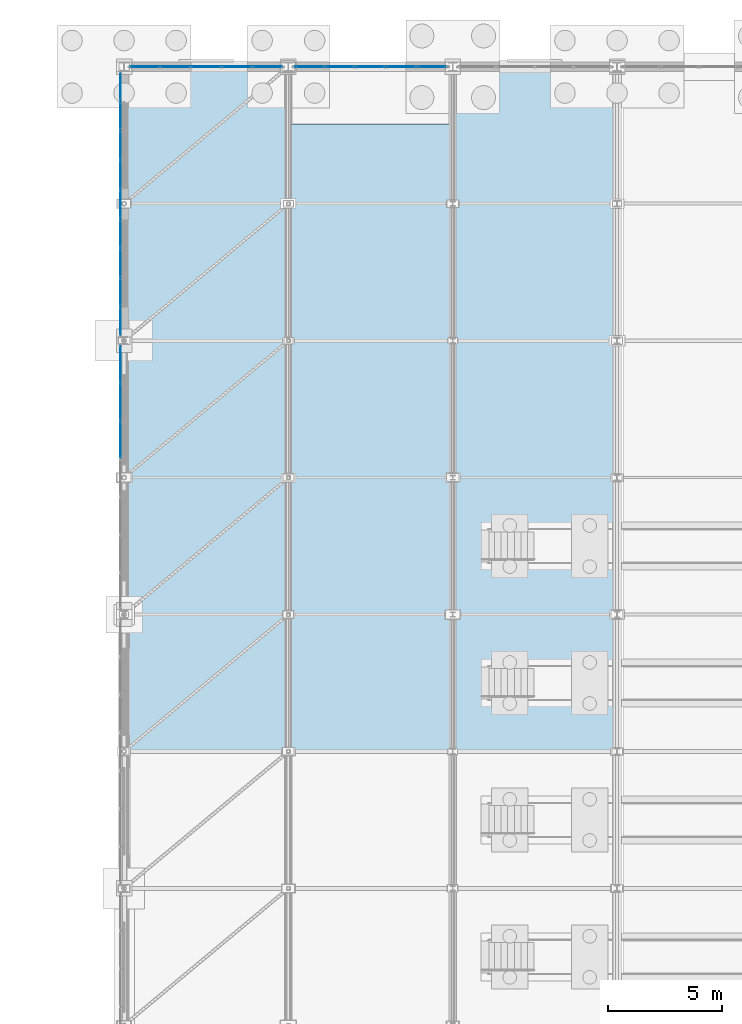
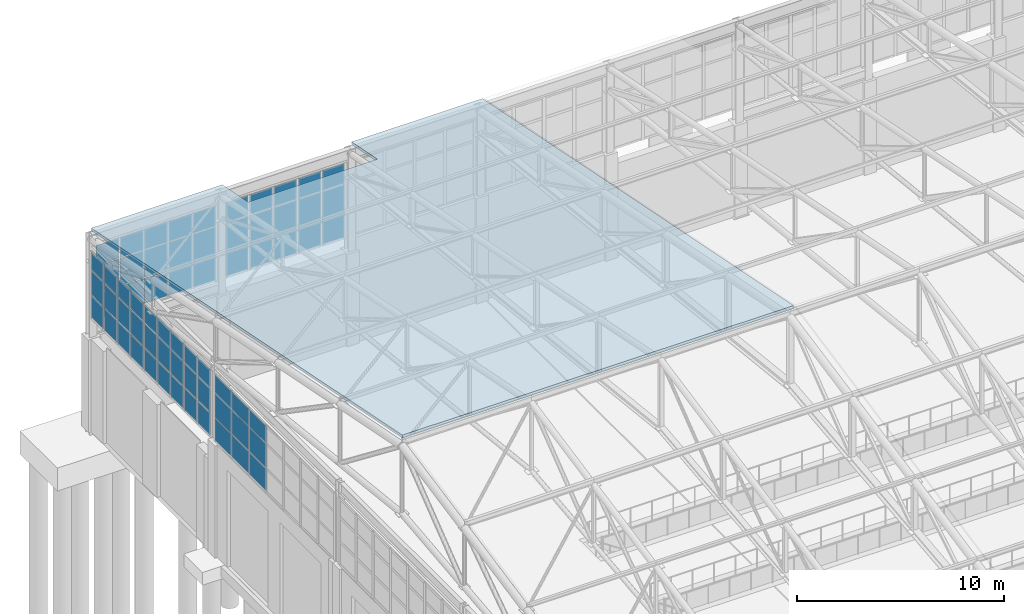
# One storey, part 249 of 293: 66 plates, 1 slab, 4 elements without a shape of their own.
"""IFC4 building model written with IfcOpenShell, lengths in metres."""

from ifc_helpers import new_model, si_unit, direction, frame, origin, origin_2d, place, context, subcontext, project, spatial, polyline, rectangle, outline, extrude, material, layer, layer_set, type_object, element, aggregate, save


model = new_model("IFC4")

# Units and contexts
model_context = context("Model", 3, precision=1e-05, world=origin(), true_north=direction((0.0, 1.0)))
body_context = subcontext(model_context, "Body", "Model", "MODEL_VIEW")
ifc_project = project(units=[si_unit("LENGTHUNIT", "METRE"), si_unit("AREAUNIT", "SQUARE_METRE"), si_unit("VOLUMEUNIT", "CUBIC_METRE"), si_unit("PLANEANGLEUNIT", "RADIAN"), si_unit("MASSUNIT", "GRAM", prefix="KILO")], contexts=[model_context])

# Site, building, storey
site_placement = place(None, origin())
site = spatial("IfcSite", under=ifc_project, at=site_placement, CompositionType="ELEMENT")
building_placement = place(site_placement, origin())
building = spatial("IfcBuilding", under=site, at=building_placement, Name="Kemerveld Promenade Tramway Depot", CompositionType="ELEMENT")
storey_placement = place(building_placement, origin())
storey = spatial("IfcBuildingStorey", under=building, at=storey_placement, Name="L00", CompositionType="ELEMENT", Elevation=0.0)

# Curtain wall, plates
ifc_material_1 = material(Name="Bronze anodised aluminium and solar glass", Category="aluminium")
ifc_layer_1 = layer(ifc_material_1, 0.159912109375)
ifc_layer_set_1 = layer_set([ifc_layer_1], Name="CW-SYS-01")
curtain_wall_type_1 = type_object("IfcCurtainWallType", Name="CW-SYS-01", PredefinedType="USERDEFINED", material=ifc_layer_set_1)
curtain_wall_1_placement = place(storey_placement, origin())
curtain_wall_1 = element("IfcCurtainWall", 1, at=curtain_wall_1_placement, inside=storey, type_object=curtain_wall_type_1, Name="CW-V1-N-01", ObjectType="GLAZED_CURTAIN_WALL", PredefinedType="USERDEFINED")
ifc_material_2 = material(Name="Solar-control laminated double glazing", Category="glass")
ifc_layer_2 = layer(ifc_material_2, 0.028076171875)
ifc_layer_set_2 = layer_set([ifc_layer_2], Name="CW-PNL-01")
plate_type_1 = type_object("IfcPlateType", Name="CW-PNL-01", PredefinedType="CURTAIN_PANEL", material=ifc_layer_set_2)
plate_1_placement = place(storey_placement, frame((36.914794921875, 144.0, 6.259765625), z_axis=(0.0, 0.0, 1.0), x_axis=(1.0, 0.0, 0.0)))
plate_1 = element("IfcPlate", 2, at=plate_1_placement, type_object=plate_type_1, Name="CW01 panel 1.1", PredefinedType="CURTAIN_PANEL", context=body_context, shape_type="SweptSolid", body=[
    extrude(rectangle(XDim=1.253173828125, YDim=0.028076171875, at=origin_2d()), origin(), (0.0, 0.0, 1.0), 1.468017578125),
])
plate_2_placement = place(storey_placement, frame((36.914794921875, 144.0, 7.7880859375), z_axis=(0.0, 0.0, 1.0), x_axis=(1.0, 0.0, 0.0)))
plate_2 = element("IfcPlate", 3, at=plate_2_placement, type_object=plate_type_1, Name="CW01 panel 1.2", PredefinedType="CURTAIN_PANEL", context=body_context, shape_type="SweptSolid", body=[
    extrude(rectangle(XDim=1.253173828125, YDim=0.028076171875, at=origin_2d()), origin(), (0.0, 0.0, 1.0), 1.5859375),
])
plate_3_placement = place(storey_placement, frame((36.914794921875, 144.0, 9.43408203125), z_axis=(0.0, 0.0, 1.0), x_axis=(1.0, 0.0, 0.0)))
plate_3 = element("IfcPlate", 4, at=plate_3_placement, type_object=plate_type_1, Name="CW01 panel 1.3", PredefinedType="CURTAIN_PANEL", context=body_context, shape_type="SweptSolid", body=[
    extrude(rectangle(XDim=1.253173828125, YDim=0.028076171875, at=origin_2d()), origin(), (0.0, 0.0, 1.0), 1.156005859375),
])
plate_4_placement = place(storey_placement, frame((38.249267578125, 144.0, 6.259765625), z_axis=(0.0, 0.0, 1.0), x_axis=(1.0, 0.0, 0.0)))
plate_4 = element("IfcPlate", 5, at=plate_4_placement, type_object=plate_type_1, Name="CW01 panel 2.1", PredefinedType="CURTAIN_PANEL", context=body_context, shape_type="SweptSolid", body=[
    extrude(rectangle(XDim=1.28564453125, YDim=0.028076171875, at=origin_2d()), origin(), (0.0, 0.0, 1.0), 1.468017578125),
])
plate_5_placement = place(storey_placement, frame((38.249267578125, 144.0, 7.7880859375), z_axis=(0.0, 0.0, 1.0), x_axis=(1.0, 0.0, 0.0)))
plate_5 = element("IfcPlate", 6, at=plate_5_placement, type_object=plate_type_1, Name="CW01 panel 2.2", PredefinedType="CURTAIN_PANEL", context=body_context, shape_type="SweptSolid", body=[
    extrude(rectangle(XDim=1.28564453125, YDim=0.028076171875, at=origin_2d()), origin(), (0.0, 0.0, 1.0), 1.5859375),
])
plate_6_placement = place(storey_placement, frame((38.249267578125, 144.0, 9.43408203125), z_axis=(0.0, 0.0, 1.0), x_axis=(1.0, 0.0, 0.0)))
plate_6 = element("IfcPlate", 7, at=plate_6_placement, type_object=plate_type_1, Name="CW01 panel 2.3", PredefinedType="CURTAIN_PANEL", context=body_context, shape_type="SweptSolid", body=[
    extrude(rectangle(XDim=1.28564453125, YDim=0.028076171875, at=origin_2d()), origin(), (0.0, 0.0, 1.0), 1.156005859375),
])
plate_7_placement = place(storey_placement, frame((39.60009765625, 144.0, 6.259765625), z_axis=(0.0, 0.0, 1.0), x_axis=(1.0, 0.0, 0.0)))
plate_7 = element("IfcPlate", 8, at=plate_7_placement, type_object=plate_type_1, Name="CW01 panel 3.1", PredefinedType="CURTAIN_PANEL", context=body_context, shape_type="SweptSolid", body=[
    extrude(rectangle(XDim=1.28564453125, YDim=0.028076171875, at=origin_2d()), origin(), (0.0, 0.0, 1.0), 1.468017578125),
])
plate_8_placement = place(storey_placement, frame((39.60009765625, 144.0, 7.7880859375), z_axis=(0.0, 0.0, 1.0), x_axis=(1.0, 0.0, 0.0)))
plate_8 = element("IfcPlate", 9, at=plate_8_placement, type_object=plate_type_1, Name="CW01 panel 3.2", PredefinedType="CURTAIN_PANEL", context=body_context, shape_type="SweptSolid", body=[
    extrude(rectangle(XDim=1.28564453125, YDim=0.028076171875, at=origin_2d()), origin(), (0.0, 0.0, 1.0), 1.5859375),
])
plate_9_placement = place(storey_placement, frame((39.60009765625, 144.0, 9.43408203125), z_axis=(0.0, 0.0, 1.0), x_axis=(1.0, 0.0, 0.0)))
plate_9 = element("IfcPlate", 10, at=plate_9_placement, type_object=plate_type_1, Name="CW01 panel 3.3", PredefinedType="CURTAIN_PANEL", context=body_context, shape_type="SweptSolid", body=[
    extrude(rectangle(XDim=1.28564453125, YDim=0.028076171875, at=origin_2d()), origin(), (0.0, 0.0, 1.0), 1.156005859375),
])
plate_10_placement = place(storey_placement, frame((40.95068359375, 144.0, 6.259765625), z_axis=(0.0, 0.0, 1.0), x_axis=(1.0, 0.0, 0.0)))
plate_10 = element("IfcPlate", 11, at=plate_10_placement, type_object=plate_type_1, Name="CW01 panel 4.1", PredefinedType="CURTAIN_PANEL", context=body_context, shape_type="SweptSolid", body=[
    extrude(rectangle(XDim=1.28564453125, YDim=0.028076171875, at=origin_2d()), origin(), (0.0, 0.0, 1.0), 1.468017578125),
])
plate_11_placement = place(storey_placement, frame((40.95068359375, 144.0, 7.7880859375), z_axis=(0.0, 0.0, 1.0), x_axis=(1.0, 0.0, 0.0)))
plate_11 = element("IfcPlate", 12, at=plate_11_placement, type_object=plate_type_1, Name="CW01 panel 4.2", PredefinedType="CURTAIN_PANEL", context=body_context, shape_type="SweptSolid", body=[
    extrude(rectangle(XDim=1.28564453125, YDim=0.028076171875, at=origin_2d()), origin(), (0.0, 0.0, 1.0), 1.5859375),
])
plate_12_placement = place(storey_placement, frame((40.95068359375, 144.0, 9.43408203125), z_axis=(0.0, 0.0, 1.0), x_axis=(1.0, 0.0, 0.0)))
plate_12 = element("IfcPlate", 13, at=plate_12_placement, type_object=plate_type_1, Name="CW01 panel 4.3", PredefinedType="CURTAIN_PANEL", context=body_context, shape_type="SweptSolid", body=[
    extrude(rectangle(XDim=1.28564453125, YDim=0.028076171875, at=origin_2d()), origin(), (0.0, 0.0, 1.0), 1.156005859375),
])
plate_13_placement = place(storey_placement, frame((42.28515625, 144.0, 6.259765625), z_axis=(0.0, 0.0, 1.0), x_axis=(1.0, 0.0, 0.0)))
plate_13 = element("IfcPlate", 14, at=plate_13_placement, type_object=plate_type_1, Name="CW01 panel 5.1", PredefinedType="CURTAIN_PANEL", context=body_context, shape_type="SweptSolid", body=[
    extrude(rectangle(XDim=1.253173828125, YDim=0.028076171875, at=origin_2d()), origin(), (0.0, 0.0, 1.0), 1.468017578125),
])
plate_14_placement = place(storey_placement, frame((42.28515625, 144.0, 7.7880859375), z_axis=(0.0, 0.0, 1.0), x_axis=(1.0, 0.0, 0.0)))
plate_14 = element("IfcPlate", 15, at=plate_14_placement, type_object=plate_type_1, Name="CW01 panel 5.2", PredefinedType="CURTAIN_PANEL", context=body_context, shape_type="SweptSolid", body=[
    extrude(rectangle(XDim=1.253173828125, YDim=0.028076171875, at=origin_2d()), origin(), (0.0, 0.0, 1.0), 1.5859375),
])
plate_15_placement = place(storey_placement, frame((42.28515625, 144.0, 9.43408203125), z_axis=(0.0, 0.0, 1.0), x_axis=(1.0, 0.0, 0.0)))
plate_15 = element("IfcPlate", 16, at=plate_15_placement, type_object=plate_type_1, Name="CW01 panel 5.3", PredefinedType="CURTAIN_PANEL", context=body_context, shape_type="SweptSolid", body=[
    extrude(rectangle(XDim=1.253173828125, YDim=0.028076171875, at=origin_2d()), origin(), (0.0, 0.0, 1.0), 1.156005859375),
])
aggregate(curtain_wall_1, [plate_1, plate_2, plate_3, plate_4, plate_5, plate_6, plate_7, plate_8, plate_9, plate_10, plate_11, plate_12, plate_13, plate_14, plate_15])

ifc_layer_3 = layer(ifc_material_1, 0.199951171875)
ifc_layer_set_3 = layer_set([ifc_layer_3], Name="CW-SYS-02")
curtain_wall_type_2 = type_object("IfcCurtainWallType", Name="CW-SYS-02", PredefinedType="USERDEFINED", material=ifc_layer_set_3)
curtain_wall_2_placement = place(storey_placement, origin())
curtain_wall_2 = element("IfcCurtainWall", 17, at=curtain_wall_2_placement, inside=storey, type_object=curtain_wall_type_2, Name="CW-V1-N-02", ObjectType="GLAZED_CURTAIN_WALL", PredefinedType="USERDEFINED")
ifc_layer_4 = layer(ifc_material_2, 0.028076171875)
ifc_layer_set_4 = layer_set([ifc_layer_4], Name="CW-PNL-02")
plate_type_2 = type_object("IfcPlateType", Name="CW-PNL-02", PredefinedType="CURTAIN_PANEL", material=ifc_layer_set_4)
plate_16_placement = place(storey_placement, frame((44.117431640625, 144.0, 6.26513671875), z_axis=(0.0, 0.0, 1.0), x_axis=(1.0, 0.0, 0.0)))
plate_16 = element("IfcPlate", 18, at=plate_16_placement, type_object=plate_type_2, Name="CW02 panel 1.1", PredefinedType="CURTAIN_PANEL", context=body_context, shape_type="SweptSolid", body=[
    extrude(rectangle(XDim=1.23828125, YDim=0.028076171875, at=origin_2d()), origin(), (0.0, 0.0, 1.0), 1.46044921875),
])
plate_17_placement = place(storey_placement, frame((44.117431640625, 144.0, 7.79052734375), z_axis=(0.0, 0.0, 1.0), x_axis=(1.0, 0.0, 0.0)))
plate_17 = element("IfcPlate", 19, at=plate_17_placement, type_object=plate_type_2, Name="CW02 panel 1.2", PredefinedType="CURTAIN_PANEL", context=body_context, shape_type="SweptSolid", body=[
    extrude(rectangle(XDim=1.23828125, YDim=0.028076171875, at=origin_2d()), origin(), (0.0, 0.0, 1.0), 1.5810546875),
])
plate_18_placement = place(storey_placement, frame((44.117431640625, 144.0, 9.4365234375), z_axis=(0.0, 0.0, 1.0), x_axis=(1.0, 0.0, 0.0)))
plate_18 = element("IfcPlate", 20, at=plate_18_placement, type_object=plate_type_2, Name="CW02 panel 1.3", PredefinedType="CURTAIN_PANEL", context=body_context, shape_type="SweptSolid", body=[
    extrude(rectangle(XDim=1.23828125, YDim=0.028076171875, at=origin_2d()), origin(), (0.0, 0.0, 1.0), 1.1484375),
])
plate_19_placement = place(storey_placement, frame((45.44921875, 144.0, 6.26513671875), z_axis=(0.0, 0.0, 1.0), x_axis=(1.0, 0.0, 0.0)))
plate_19 = element("IfcPlate", 21, at=plate_19_placement, type_object=plate_type_2, Name="CW02 panel 2.1", PredefinedType="CURTAIN_PANEL", context=body_context, shape_type="SweptSolid", body=[
    extrude(rectangle(XDim=1.275634765625, YDim=0.028076171875, at=origin_2d()), origin(), (0.0, 0.0, 1.0), 1.46044921875),
])
plate_20_placement = place(storey_placement, frame((45.44921875, 144.0, 7.79052734375), z_axis=(0.0, 0.0, 1.0), x_axis=(1.0, 0.0, 0.0)))
plate_20 = element("IfcPlate", 22, at=plate_20_placement, type_object=plate_type_2, Name="CW02 panel 2.2", PredefinedType="CURTAIN_PANEL", context=body_context, shape_type="SweptSolid", body=[
    extrude(rectangle(XDim=1.275634765625, YDim=0.028076171875, at=origin_2d()), origin(), (0.0, 0.0, 1.0), 1.5810546875),
])
plate_21_placement = place(storey_placement, frame((45.44921875, 144.0, 9.4365234375), z_axis=(0.0, 0.0, 1.0), x_axis=(1.0, 0.0, 0.0)))
plate_21 = element("IfcPlate", 23, at=plate_21_placement, type_object=plate_type_2, Name="CW02 panel 2.3", PredefinedType="CURTAIN_PANEL", context=body_context, shape_type="SweptSolid", body=[
    extrude(rectangle(XDim=1.275634765625, YDim=0.028076171875, at=origin_2d()), origin(), (0.0, 0.0, 1.0), 1.1484375),
])
plate_22_placement = place(storey_placement, frame((46.800048828125, 144.0, 6.26513671875), z_axis=(0.0, 0.0, 1.0), x_axis=(1.0, 0.0, 0.0)))
plate_22 = element("IfcPlate", 24, at=plate_22_placement, type_object=plate_type_2, Name="CW02 panel 3.1", PredefinedType="CURTAIN_PANEL", context=body_context, shape_type="SweptSolid", body=[
    extrude(rectangle(XDim=1.275634765625, YDim=0.028076171875, at=origin_2d()), origin(), (0.0, 0.0, 1.0), 1.46044921875),
])
plate_23_placement = place(storey_placement, frame((46.800048828125, 144.0, 7.79052734375), z_axis=(0.0, 0.0, 1.0), x_axis=(1.0, 0.0, 0.0)))
plate_23 = element("IfcPlate", 25, at=plate_23_placement, type_object=plate_type_2, Name="CW02 panel 3.2", PredefinedType="CURTAIN_PANEL", context=body_context, shape_type="SweptSolid", body=[
    extrude(rectangle(XDim=1.275634765625, YDim=0.028076171875, at=origin_2d()), origin(), (0.0, 0.0, 1.0), 1.5810546875),
])
plate_24_placement = place(storey_placement, frame((46.800048828125, 144.0, 9.4365234375), z_axis=(0.0, 0.0, 1.0), x_axis=(1.0, 0.0, 0.0)))
plate_24 = element("IfcPlate", 26, at=plate_24_placement, type_object=plate_type_2, Name="CW02 panel 3.3", PredefinedType="CURTAIN_PANEL", context=body_context, shape_type="SweptSolid", body=[
    extrude(rectangle(XDim=1.275634765625, YDim=0.028076171875, at=origin_2d()), origin(), (0.0, 0.0, 1.0), 1.1484375),
])
plate_25_placement = place(storey_placement, frame((48.150634765625, 144.0, 6.26513671875), z_axis=(0.0, 0.0, 1.0), x_axis=(1.0, 0.0, 0.0)))
plate_25 = element("IfcPlate", 27, at=plate_25_placement, type_object=plate_type_2, Name="CW02 panel 4.1", PredefinedType="CURTAIN_PANEL", context=body_context, shape_type="SweptSolid", body=[
    extrude(rectangle(XDim=1.275634765625, YDim=0.028076171875, at=origin_2d()), origin(), (0.0, 0.0, 1.0), 1.46044921875),
])
plate_26_placement = place(storey_placement, frame((48.150634765625, 144.0, 7.79052734375), z_axis=(0.0, 0.0, 1.0), x_axis=(1.0, 0.0, 0.0)))
plate_26 = element("IfcPlate", 28, at=plate_26_placement, type_object=plate_type_2, Name="CW02 panel 4.2", PredefinedType="CURTAIN_PANEL", context=body_context, shape_type="SweptSolid", body=[
    extrude(rectangle(XDim=1.275634765625, YDim=0.028076171875, at=origin_2d()), origin(), (0.0, 0.0, 1.0), 1.5810546875),
])
plate_27_placement = place(storey_placement, frame((48.150634765625, 144.0, 9.4365234375), z_axis=(0.0, 0.0, 1.0), x_axis=(1.0, 0.0, 0.0)))
plate_27 = element("IfcPlate", 29, at=plate_27_placement, type_object=plate_type_2, Name="CW02 panel 4.3", PredefinedType="CURTAIN_PANEL", context=body_context, shape_type="SweptSolid", body=[
    extrude(rectangle(XDim=1.275634765625, YDim=0.028076171875, at=origin_2d()), origin(), (0.0, 0.0, 1.0), 1.1484375),
])
plate_28_placement = place(storey_placement, frame((49.482666015625, 144.0, 6.26513671875), z_axis=(0.0, 0.0, 1.0), x_axis=(1.0, 0.0, 0.0)))
plate_28 = element("IfcPlate", 30, at=plate_28_placement, type_object=plate_type_2, Name="CW02 panel 5.1", PredefinedType="CURTAIN_PANEL", context=body_context, shape_type="SweptSolid", body=[
    extrude(rectangle(XDim=1.23828125, YDim=0.028076171875, at=origin_2d()), origin(), (0.0, 0.0, 1.0), 1.46044921875),
])
plate_29_placement = place(storey_placement, frame((49.482666015625, 144.0, 7.79052734375), z_axis=(0.0, 0.0, 1.0), x_axis=(1.0, 0.0, 0.0)))
plate_29 = element("IfcPlate", 31, at=plate_29_placement, type_object=plate_type_2, Name="CW02 panel 5.2", PredefinedType="CURTAIN_PANEL", context=body_context, shape_type="SweptSolid", body=[
    extrude(rectangle(XDim=1.23828125, YDim=0.028076171875, at=origin_2d()), origin(), (0.0, 0.0, 1.0), 1.5810546875),
])
plate_30_placement = place(storey_placement, frame((49.482666015625, 144.0, 9.4365234375), z_axis=(0.0, 0.0, 1.0), x_axis=(1.0, 0.0, 0.0)))
plate_30 = element("IfcPlate", 32, at=plate_30_placement, type_object=plate_type_2, Name="CW02 panel 5.3", PredefinedType="CURTAIN_PANEL", context=body_context, shape_type="SweptSolid", body=[
    extrude(rectangle(XDim=1.23828125, YDim=0.028076171875, at=origin_2d()), origin(), (0.0, 0.0, 1.0), 1.1484375),
])
aggregate(curtain_wall_2, [plate_16, plate_17, plate_18, plate_19, plate_20, plate_21, plate_22, plate_23, plate_24, plate_25, plate_26, plate_27, plate_28, plate_29, plate_30])

ifc_layer_5 = layer(ifc_material_1, 0.159912109375)
ifc_layer_set_5 = layer_set([ifc_layer_5], Name="CW-SYS-11")
curtain_wall_type_3 = type_object("IfcCurtainWallType", Name="CW-SYS-11", PredefinedType="USERDEFINED", material=ifc_layer_set_5)
curtain_wall_3_placement = place(storey_placement, origin())
curtain_wall_3 = element("IfcCurtainWall", 33, at=curtain_wall_3_placement, inside=storey, type_object=curtain_wall_type_3, Name="CW-V1-W-04", ObjectType="GLAZED_CURTAIN_WALL", PredefinedType="USERDEFINED")
ifc_layer_6 = layer(ifc_material_2, 0.028076171875)
ifc_layer_set_6 = layer_set([ifc_layer_6], Name="CW-PNL-03")
plate_type_3 = type_object("IfcPlateType", Name="CW-PNL-03", PredefinedType="CURTAIN_PANEL", material=ifc_layer_set_6)
plate_31_placement = place(storey_placement, frame((35.85009765625, 127.661865234375, 6.7099609375), z_axis=(0.0, 0.0, 1.0), x_axis=(0.0, 1.0, 0.0)))
plate_31 = element("IfcPlate", 34, at=plate_31_placement, type_object=plate_type_3, Name="CW11 panel 5.1", PredefinedType="CURTAIN_PANEL", context=body_context, shape_type="SweptSolid", body=[
    extrude(rectangle(XDim=1.596923828125, YDim=0.028076171875, at=origin_2d()), origin(), (0.0, 0.0, 1.0), 1.29296875),
])
plate_32_placement = place(storey_placement, frame((35.85009765625, 127.661865234375, 8.06298828125), z_axis=(0.0, 0.0, 1.0), x_axis=(0.0, 1.0, 0.0)))
plate_32 = element("IfcPlate", 35, at=plate_32_placement, type_object=plate_type_3, Name="CW11 panel 5.2", PredefinedType="CURTAIN_PANEL", context=body_context, shape_type="SweptSolid", body=[
    extrude(rectangle(XDim=1.596923828125, YDim=0.028076171875, at=origin_2d()), origin(), (0.0, 0.0, 1.0), 1.40087890625),
])
plate_33_placement = place(storey_placement, frame((35.85009765625, 127.661865234375, 9.52392578125), z_axis=(0.0, 0.0, 1.0), x_axis=(0.0, 1.0, 0.0)))
plate_33 = element("IfcPlate", 36, at=plate_33_placement, type_object=plate_type_3, Name="CW11 panel 5.3", PredefinedType="CURTAIN_PANEL", context=body_context, shape_type="SweptSolid", body=[
    extrude(rectangle(XDim=1.596923828125, YDim=0.028076171875, at=origin_2d()), origin(), (0.0, 0.0, 1.0), 1.01611328125),
])
plate_34_placement = place(storey_placement, frame((35.85009765625, 129.32373046875, 6.7099609375), z_axis=(0.0, 0.0, 1.0), x_axis=(0.0, 1.0, 0.0)))
plate_34 = element("IfcPlate", 37, at=plate_34_placement, type_object=plate_type_3, Name="CW11 panel 6.1", PredefinedType="CURTAIN_PANEL", context=body_context, shape_type="SweptSolid", body=[
    extrude(rectangle(XDim=1.596923828125, YDim=0.028076171875, at=origin_2d()), origin(), (0.0, 0.0, 1.0), 1.29296875),
])
plate_35_placement = place(storey_placement, frame((35.85009765625, 129.32373046875, 8.06298828125), z_axis=(0.0, 0.0, 1.0), x_axis=(0.0, 1.0, 0.0)))
plate_35 = element("IfcPlate", 38, at=plate_35_placement, type_object=plate_type_3, Name="CW11 panel 6.2", PredefinedType="CURTAIN_PANEL", context=body_context, shape_type="SweptSolid", body=[
    extrude(rectangle(XDim=1.596923828125, YDim=0.028076171875, at=origin_2d()), origin(), (0.0, 0.0, 1.0), 1.40087890625),
])
plate_36_placement = place(storey_placement, frame((35.85009765625, 129.32373046875, 9.52392578125), z_axis=(0.0, 0.0, 1.0), x_axis=(0.0, 1.0, 0.0)))
plate_36 = element("IfcPlate", 39, at=plate_36_placement, type_object=plate_type_3, Name="CW11 panel 6.3", PredefinedType="CURTAIN_PANEL", context=body_context, shape_type="SweptSolid", body=[
    extrude(rectangle(XDim=1.596923828125, YDim=0.028076171875, at=origin_2d()), origin(), (0.0, 0.0, 1.0), 1.01611328125),
])
plate_37_placement = place(storey_placement, frame((35.85009765625, 130.96923828125, 6.7099609375), z_axis=(0.0, 0.0, 1.0), x_axis=(0.0, 1.0, 0.0)))
plate_37 = element("IfcPlate", 40, at=plate_37_placement, type_object=plate_type_3, Name="CW11 panel 7.1", PredefinedType="CURTAIN_PANEL", context=body_context, shape_type="SweptSolid", body=[
    extrude(rectangle(XDim=1.564453125, YDim=0.028076171875, at=origin_2d()), origin(), (0.0, 0.0, 1.0), 1.29296875),
])
plate_38_placement = place(storey_placement, frame((35.85009765625, 130.96923828125, 8.06298828125), z_axis=(0.0, 0.0, 1.0), x_axis=(0.0, 1.0, 0.0)))
plate_38 = element("IfcPlate", 41, at=plate_38_placement, type_object=plate_type_3, Name="CW11 panel 7.2", PredefinedType="CURTAIN_PANEL", context=body_context, shape_type="SweptSolid", body=[
    extrude(rectangle(XDim=1.564453125, YDim=0.028076171875, at=origin_2d()), origin(), (0.0, 0.0, 1.0), 1.40087890625),
])
plate_39_placement = place(storey_placement, frame((35.85009765625, 130.96923828125, 9.52392578125), z_axis=(0.0, 0.0, 1.0), x_axis=(0.0, 1.0, 0.0)))
plate_39 = element("IfcPlate", 42, at=plate_39_placement, type_object=plate_type_3, Name="CW11 panel 7.3", PredefinedType="CURTAIN_PANEL", context=body_context, shape_type="SweptSolid", body=[
    extrude(rectangle(XDim=1.564453125, YDim=0.028076171875, at=origin_2d()), origin(), (0.0, 0.0, 1.0), 1.01611328125),
])
aggregate(curtain_wall_3, [plate_31, plate_32, plate_33, plate_34, plate_35, plate_36, plate_37, plate_38, plate_39])

ifc_layer_7 = layer(ifc_material_1, 0.199951171875)
ifc_layer_set_7 = layer_set([ifc_layer_7], Name="CW-SYS-12")
curtain_wall_type_4 = type_object("IfcCurtainWallType", Name="CW-SYS-12", PredefinedType="USERDEFINED", material=ifc_layer_set_7)
curtain_wall_4_placement = place(storey_placement, origin())
curtain_wall_4 = element("IfcCurtainWall", 43, at=curtain_wall_4_placement, inside=storey, type_object=curtain_wall_type_4, Name="CW-V1-W-05", ObjectType="GLAZED_CURTAIN_WALL", PredefinedType="USERDEFINED")
ifc_layer_8 = layer(ifc_material_2, 0.031982421875)
ifc_layer_set_8 = layer_set([ifc_layer_8], Name="CW-PNL-04")
plate_type_4 = type_object("IfcPlateType", Name="CW-PNL-04", PredefinedType="CURTAIN_PANEL", material=ifc_layer_set_8)
plate_40_placement = place(storey_placement, frame((35.85009765625, 132.846435546875, 6.71484375), z_axis=(0.0, 0.0, 1.0), x_axis=(0.0, 1.0, 0.0)))
plate_40 = element("IfcPlate", 44, at=plate_40_placement, type_object=plate_type_4, Name="CW12 panel 1.1", PredefinedType="CURTAIN_PANEL", context=body_context, shape_type="SweptSolid", body=[
    extrude(rectangle(XDim=1.175537109375, YDim=0.031982421875, at=origin_2d()), origin(), (0.0, 0.0, 1.0), 1.285400390625),
])
plate_41_placement = place(storey_placement, frame((35.85009765625, 132.846435546875, 8.0654296875), z_axis=(0.0, 0.0, 1.0), x_axis=(0.0, 1.0, 0.0)))
plate_41 = element("IfcPlate", 45, at=plate_41_placement, type_object=plate_type_4, Name="CW12 panel 1.2", PredefinedType="CURTAIN_PANEL", context=body_context, shape_type="SweptSolid", body=[
    extrude(rectangle(XDim=1.175537109375, YDim=0.031982421875, at=origin_2d()), origin(), (0.0, 0.0, 1.0), 1.39599609375),
])
plate_42_placement = place(storey_placement, frame((35.85009765625, 132.846435546875, 9.5263671875), z_axis=(0.0, 0.0, 1.0), x_axis=(0.0, 1.0, 0.0)))
plate_42 = element("IfcPlate", 46, at=plate_42_placement, type_object=plate_type_4, Name="CW12 panel 1.3", PredefinedType="CURTAIN_PANEL", context=body_context, shape_type="SweptSolid", body=[
    extrude(rectangle(XDim=1.175537109375, YDim=0.031982421875, at=origin_2d()), origin(), (0.0, 0.0, 1.0), 1.008544921875),
])
plate_43_placement = place(storey_placement, frame((35.85009765625, 134.11572265625, 6.71484375), z_axis=(0.0, 0.0, 1.0), x_axis=(0.0, 1.0, 0.0)))
plate_43 = element("IfcPlate", 47, at=plate_43_placement, type_object=plate_type_4, Name="CW12 panel 2.1", PredefinedType="CURTAIN_PANEL", context=body_context, shape_type="SweptSolid", body=[
    extrude(rectangle(XDim=1.213134765625, YDim=0.031982421875, at=origin_2d()), origin(), (0.0, 0.0, 1.0), 1.285400390625),
])
plate_44_placement = place(storey_placement, frame((35.85009765625, 134.11572265625, 8.0654296875), z_axis=(0.0, 0.0, 1.0), x_axis=(0.0, 1.0, 0.0)))
plate_44 = element("IfcPlate", 48, at=plate_44_placement, type_object=plate_type_4, Name="CW12 panel 2.2", PredefinedType="CURTAIN_PANEL", context=body_context, shape_type="SweptSolid", body=[
    extrude(rectangle(XDim=1.213134765625, YDim=0.031982421875, at=origin_2d()), origin(), (0.0, 0.0, 1.0), 1.39599609375),
])
plate_45_placement = place(storey_placement, frame((35.85009765625, 134.11572265625, 9.5263671875), z_axis=(0.0, 0.0, 1.0), x_axis=(0.0, 1.0, 0.0)))
plate_45 = element("IfcPlate", 49, at=plate_45_placement, type_object=plate_type_4, Name="CW12 panel 2.3", PredefinedType="CURTAIN_PANEL", context=body_context, shape_type="SweptSolid", body=[
    extrude(rectangle(XDim=1.213134765625, YDim=0.031982421875, at=origin_2d()), origin(), (0.0, 0.0, 1.0), 1.008544921875),
])
plate_46_placement = place(storey_placement, frame((35.85009765625, 135.40380859375, 6.71484375), z_axis=(0.0, 0.0, 1.0), x_axis=(0.0, 1.0, 0.0)))
plate_46 = element("IfcPlate", 50, at=plate_46_placement, type_object=plate_type_4, Name="CW12 panel 3.1", PredefinedType="CURTAIN_PANEL", context=body_context, shape_type="SweptSolid", body=[
    extrude(rectangle(XDim=1.213134765625, YDim=0.031982421875, at=origin_2d()), origin(), (0.0, 0.0, 1.0), 1.285400390625),
])
plate_47_placement = place(storey_placement, frame((35.85009765625, 135.40380859375, 8.0654296875), z_axis=(0.0, 0.0, 1.0), x_axis=(0.0, 1.0, 0.0)))
plate_47 = element("IfcPlate", 51, at=plate_47_placement, type_object=plate_type_4, Name="CW12 panel 3.2", PredefinedType="CURTAIN_PANEL", context=body_context, shape_type="SweptSolid", body=[
    extrude(rectangle(XDim=1.213134765625, YDim=0.031982421875, at=origin_2d()), origin(), (0.0, 0.0, 1.0), 1.39599609375),
])
plate_48_placement = place(storey_placement, frame((35.85009765625, 135.40380859375, 9.5263671875), z_axis=(0.0, 0.0, 1.0), x_axis=(0.0, 1.0, 0.0)))
plate_48 = element("IfcPlate", 52, at=plate_48_placement, type_object=plate_type_4, Name="CW12 panel 3.3", PredefinedType="CURTAIN_PANEL", context=body_context, shape_type="SweptSolid", body=[
    extrude(rectangle(XDim=1.213134765625, YDim=0.031982421875, at=origin_2d()), origin(), (0.0, 0.0, 1.0), 1.008544921875),
])
plate_49_placement = place(storey_placement, frame((35.85009765625, 136.69189453125, 6.71484375), z_axis=(0.0, 0.0, 1.0), x_axis=(0.0, 1.0, 0.0)))
plate_49 = element("IfcPlate", 53, at=plate_49_placement, type_object=plate_type_4, Name="CW12 panel 4.1", PredefinedType="CURTAIN_PANEL", context=body_context, shape_type="SweptSolid", body=[
    extrude(rectangle(XDim=1.213134765625, YDim=0.031982421875, at=origin_2d()), origin(), (0.0, 0.0, 1.0), 1.285400390625),
])
plate_50_placement = place(storey_placement, frame((35.85009765625, 136.69189453125, 8.0654296875), z_axis=(0.0, 0.0, 1.0), x_axis=(0.0, 1.0, 0.0)))
plate_50 = element("IfcPlate", 54, at=plate_50_placement, type_object=plate_type_4, Name="CW12 panel 4.2", PredefinedType="CURTAIN_PANEL", context=body_context, shape_type="SweptSolid", body=[
    extrude(rectangle(XDim=1.213134765625, YDim=0.031982421875, at=origin_2d()), origin(), (0.0, 0.0, 1.0), 1.39599609375),
])
plate_51_placement = place(storey_placement, frame((35.85009765625, 136.69189453125, 9.5263671875), z_axis=(0.0, 0.0, 1.0), x_axis=(0.0, 1.0, 0.0)))
plate_51 = element("IfcPlate", 55, at=plate_51_placement, type_object=plate_type_4, Name="CW12 panel 4.3", PredefinedType="CURTAIN_PANEL", context=body_context, shape_type="SweptSolid", body=[
    extrude(rectangle(XDim=1.213134765625, YDim=0.031982421875, at=origin_2d()), origin(), (0.0, 0.0, 1.0), 1.008544921875),
])
plate_52_placement = place(storey_placement, frame((35.85009765625, 137.980224609375, 6.71484375), z_axis=(0.0, 0.0, 1.0), x_axis=(0.0, 1.0, 0.0)))
plate_52 = element("IfcPlate", 56, at=plate_52_placement, type_object=plate_type_4, Name="CW12 panel 5.1", PredefinedType="CURTAIN_PANEL", context=body_context, shape_type="SweptSolid", body=[
    extrude(rectangle(XDim=1.213134765625, YDim=0.031982421875, at=origin_2d()), origin(), (0.0, 0.0, 1.0), 1.285400390625),
])
plate_53_placement = place(storey_placement, frame((35.85009765625, 137.980224609375, 8.0654296875), z_axis=(0.0, 0.0, 1.0), x_axis=(0.0, 1.0, 0.0)))
plate_53 = element("IfcPlate", 57, at=plate_53_placement, type_object=plate_type_4, Name="CW12 panel 5.2", PredefinedType="CURTAIN_PANEL", context=body_context, shape_type="SweptSolid", body=[
    extrude(rectangle(XDim=1.213134765625, YDim=0.031982421875, at=origin_2d()), origin(), (0.0, 0.0, 1.0), 1.39599609375),
])
plate_54_placement = place(storey_placement, frame((35.85009765625, 137.980224609375, 9.5263671875), z_axis=(0.0, 0.0, 1.0), x_axis=(0.0, 1.0, 0.0)))
plate_54 = element("IfcPlate", 58, at=plate_54_placement, type_object=plate_type_4, Name="CW12 panel 5.3", PredefinedType="CURTAIN_PANEL", context=body_context, shape_type="SweptSolid", body=[
    extrude(rectangle(XDim=1.213134765625, YDim=0.031982421875, at=origin_2d()), origin(), (0.0, 0.0, 1.0), 1.008544921875),
])
plate_55_placement = place(storey_placement, frame((35.85009765625, 139.268310546875, 6.71484375), z_axis=(0.0, 0.0, 1.0), x_axis=(0.0, 1.0, 0.0)))
plate_55 = element("IfcPlate", 59, at=plate_55_placement, type_object=plate_type_4, Name="CW12 panel 6.1", PredefinedType="CURTAIN_PANEL", context=body_context, shape_type="SweptSolid", body=[
    extrude(rectangle(XDim=1.213134765625, YDim=0.031982421875, at=origin_2d()), origin(), (0.0, 0.0, 1.0), 1.285400390625),
])
plate_56_placement = place(storey_placement, frame((35.85009765625, 139.268310546875, 8.0654296875), z_axis=(0.0, 0.0, 1.0), x_axis=(0.0, 1.0, 0.0)))
plate_56 = element("IfcPlate", 60, at=plate_56_placement, type_object=plate_type_4, Name="CW12 panel 6.2", PredefinedType="CURTAIN_PANEL", context=body_context, shape_type="SweptSolid", body=[
    extrude(rectangle(XDim=1.213134765625, YDim=0.031982421875, at=origin_2d()), origin(), (0.0, 0.0, 1.0), 1.39599609375),
])
plate_57_placement = place(storey_placement, frame((35.85009765625, 139.268310546875, 9.5263671875), z_axis=(0.0, 0.0, 1.0), x_axis=(0.0, 1.0, 0.0)))
plate_57 = element("IfcPlate", 61, at=plate_57_placement, type_object=plate_type_4, Name="CW12 panel 6.3", PredefinedType="CURTAIN_PANEL", context=body_context, shape_type="SweptSolid", body=[
    extrude(rectangle(XDim=1.213134765625, YDim=0.031982421875, at=origin_2d()), origin(), (0.0, 0.0, 1.0), 1.008544921875),
])
plate_58_placement = place(storey_placement, frame((35.85009765625, 140.556396484375, 6.71484375), z_axis=(0.0, 0.0, 1.0), x_axis=(0.0, 1.0, 0.0)))
plate_58 = element("IfcPlate", 62, at=plate_58_placement, type_object=plate_type_4, Name="CW12 panel 7.1", PredefinedType="CURTAIN_PANEL", context=body_context, shape_type="SweptSolid", body=[
    extrude(rectangle(XDim=1.213134765625, YDim=0.031982421875, at=origin_2d()), origin(), (0.0, 0.0, 1.0), 1.285400390625),
])
plate_59_placement = place(storey_placement, frame((35.85009765625, 140.556396484375, 8.0654296875), z_axis=(0.0, 0.0, 1.0), x_axis=(0.0, 1.0, 0.0)))
plate_59 = element("IfcPlate", 63, at=plate_59_placement, type_object=plate_type_4, Name="CW12 panel 7.2", PredefinedType="CURTAIN_PANEL", context=body_context, shape_type="SweptSolid", body=[
    extrude(rectangle(XDim=1.213134765625, YDim=0.031982421875, at=origin_2d()), origin(), (0.0, 0.0, 1.0), 1.39599609375),
])
plate_60_placement = place(storey_placement, frame((35.85009765625, 140.556396484375, 9.5263671875), z_axis=(0.0, 0.0, 1.0), x_axis=(0.0, 1.0, 0.0)))
plate_60 = element("IfcPlate", 64, at=plate_60_placement, type_object=plate_type_4, Name="CW12 panel 7.3", PredefinedType="CURTAIN_PANEL", context=body_context, shape_type="SweptSolid", body=[
    extrude(rectangle(XDim=1.213134765625, YDim=0.031982421875, at=origin_2d()), origin(), (0.0, 0.0, 1.0), 1.008544921875),
])
plate_61_placement = place(storey_placement, frame((35.85009765625, 141.844482421875, 6.71484375), z_axis=(0.0, 0.0, 1.0), x_axis=(0.0, 1.0, 0.0)))
plate_61 = element("IfcPlate", 65, at=plate_61_placement, type_object=plate_type_4, Name="CW12 panel 8.1", PredefinedType="CURTAIN_PANEL", context=body_context, shape_type="SweptSolid", body=[
    extrude(rectangle(XDim=1.213134765625, YDim=0.031982421875, at=origin_2d()), origin(), (0.0, 0.0, 1.0), 1.285400390625),
])
plate_62_placement = place(storey_placement, frame((35.85009765625, 141.844482421875, 8.0654296875), z_axis=(0.0, 0.0, 1.0), x_axis=(0.0, 1.0, 0.0)))
plate_62 = element("IfcPlate", 66, at=plate_62_placement, type_object=plate_type_4, Name="CW12 panel 8.2", PredefinedType="CURTAIN_PANEL", context=body_context, shape_type="SweptSolid", body=[
    extrude(rectangle(XDim=1.213134765625, YDim=0.031982421875, at=origin_2d()), origin(), (0.0, 0.0, 1.0), 1.39599609375),
])
plate_63_placement = place(storey_placement, frame((35.85009765625, 141.844482421875, 9.5263671875), z_axis=(0.0, 0.0, 1.0), x_axis=(0.0, 1.0, 0.0)))
plate_63 = element("IfcPlate", 67, at=plate_63_placement, type_object=plate_type_4, Name="CW12 panel 8.3", PredefinedType="CURTAIN_PANEL", context=body_context, shape_type="SweptSolid", body=[
    extrude(rectangle(XDim=1.213134765625, YDim=0.031982421875, at=origin_2d()), origin(), (0.0, 0.0, 1.0), 1.008544921875),
])
plate_64_placement = place(storey_placement, frame((35.85009765625, 143.114013671875, 6.71484375), z_axis=(0.0, 0.0, 1.0), x_axis=(0.0, 1.0, 0.0)))
plate_64 = element("IfcPlate", 68, at=plate_64_placement, type_object=plate_type_4, Name="CW12 panel 9.1", PredefinedType="CURTAIN_PANEL", context=body_context, shape_type="SweptSolid", body=[
    extrude(rectangle(XDim=1.175537109375, YDim=0.031982421875, at=origin_2d()), origin(), (0.0, 0.0, 1.0), 1.285400390625),
])
plate_65_placement = place(storey_placement, frame((35.85009765625, 143.114013671875, 8.0654296875), z_axis=(0.0, 0.0, 1.0), x_axis=(0.0, 1.0, 0.0)))
plate_65 = element("IfcPlate", 69, at=plate_65_placement, type_object=plate_type_4, Name="CW12 panel 9.2", PredefinedType="CURTAIN_PANEL", context=body_context, shape_type="SweptSolid", body=[
    extrude(rectangle(XDim=1.175537109375, YDim=0.031982421875, at=origin_2d()), origin(), (0.0, 0.0, 1.0), 1.39599609375),
])
plate_66_placement = place(storey_placement, frame((35.85009765625, 143.114013671875, 9.5263671875), z_axis=(0.0, 0.0, 1.0), x_axis=(0.0, 1.0, 0.0)))
plate_66 = element("IfcPlate", 70, at=plate_66_placement, type_object=plate_type_4, Name="CW12 panel 9.3", PredefinedType="CURTAIN_PANEL", context=body_context, shape_type="SweptSolid", body=[
    extrude(rectangle(XDim=1.175537109375, YDim=0.031982421875, at=origin_2d()), origin(), (0.0, 0.0, 1.0), 1.008544921875),
])
aggregate(curtain_wall_4, [plate_40, plate_41, plate_42, plate_43, plate_44, plate_45, plate_46, plate_47, plate_48, plate_49, plate_50, plate_51, plate_52, plate_53, plate_54, plate_55, plate_56, plate_57, plate_58, plate_59, plate_60, plate_61, plate_62, plate_63, plate_64, plate_65, plate_66])

# Slab
ifc_material_3 = material(Name="Concrete C35/45", Category="concrete")
ifc_layer_9 = layer(ifc_material_3, 0.159912109375)
ifc_layer_set_9 = layer_set([ifc_layer_9], Name="SL-RF02")
slab_type = type_object("IfcSlabType", Name="SL-RF02", PredefinedType="ROOF", material=ifc_layer_set_9)
slab_placement = place(storey_placement, frame((36.0, 114.0, 17.719970703125), z_axis=(0.0, 0.196116135138, 0.980580675691), x_axis=(1.0, 0.0, 0.0)))
element("IfcSlab", 71, at=slab_placement, inside=storey, type_object=slab_type, Name="SLB-RF-V1N-S1", PredefinedType="ROOF", context=body_context, shape_type="SweptSolid", body=[
    extrude(outline(polyline([(0.0, 0.0), (21.800048828125, 0.0), (21.800048828125, 30.594117081556707), (14.5, 30.594117081556707), (14.5, 28.044607324760314), (7.300048828125, 28.044607324760314), (7.300048828125, 30.594117081556707), (0.0, 30.594117081556707), (0.0, 0.0)])), origin(), (0.0, 0.0, -1.0), 0.159912109375),
])

save(model, "model.ifc")
